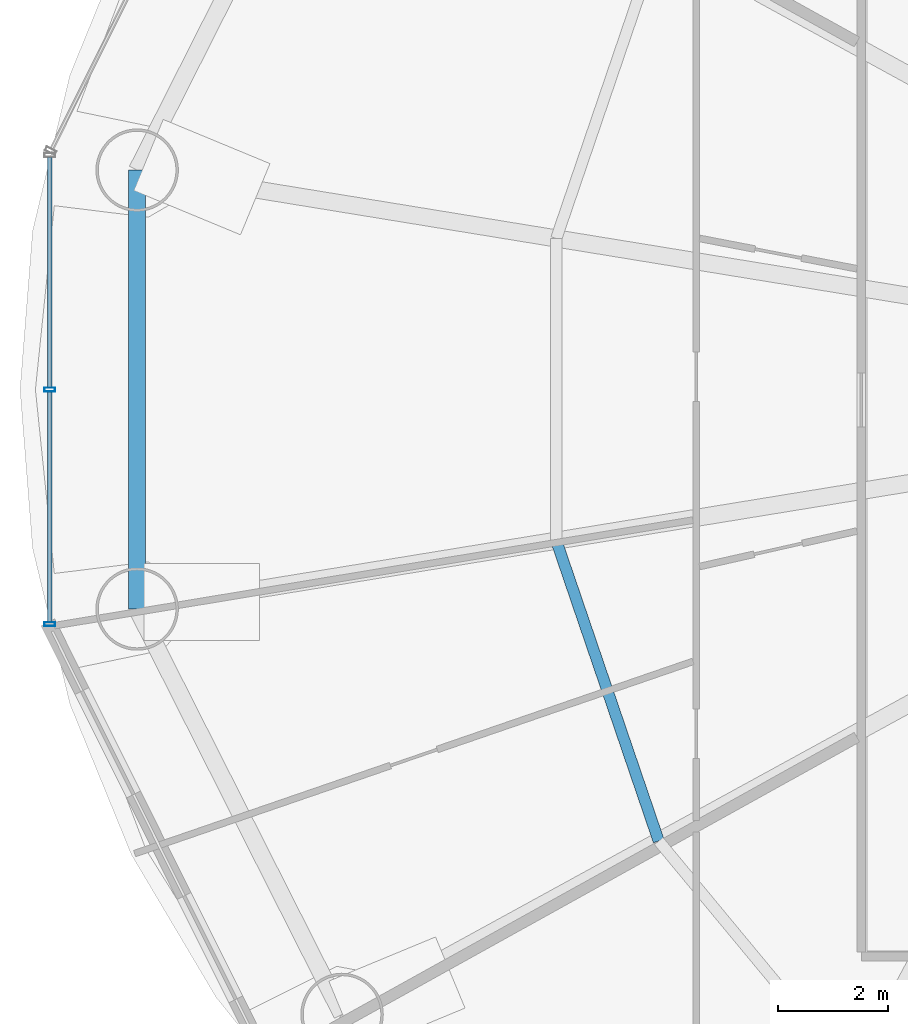
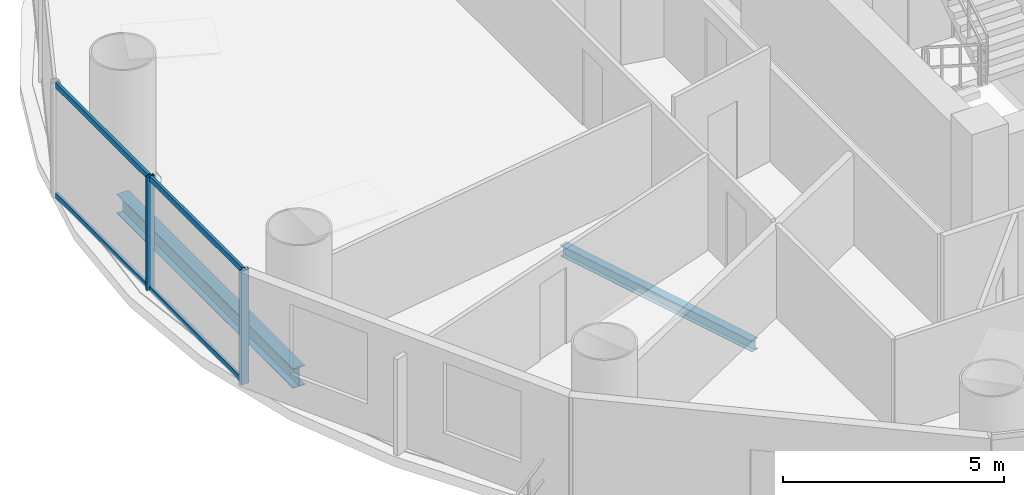
# One storey, part 7 of 29: 6 members, 2 beams, 1 element without a shape of its own.
"""IFC4 building model written with IfcOpenShell, lengths in metres."""

from ifc_helpers import new_model, si_unit, direction, frame, origin, origin_2d, place, context, subcontext, project, spatial, hollow_rectangle, i_section, extrude, source, transform, mapped, material, material_profile, profile_set, type_object, element, aggregate, save


model = new_model("IFC4")

# Units and contexts
model_context = context("Model", 3, precision=1e-05, world=origin(), true_north=direction((-0.2419218956, 0.970295726276)))
body_context = subcontext(model_context, "Body", "Model", "MODEL_VIEW")
ifc_project = project(units=[si_unit("LENGTHUNIT", "METRE"), si_unit("AREAUNIT", "SQUARE_METRE"), si_unit("VOLUMEUNIT", "CUBIC_METRE"), si_unit("PLANEANGLEUNIT", "RADIAN"), si_unit("MASSUNIT", "GRAM", prefix="KILO")], contexts=[model_context])

# Site, building, storey
site_placement = place(None, origin())
site = spatial("IfcSite", under=ifc_project, at=site_placement, CompositionType="ELEMENT")
building_placement = place(site_placement, origin())
building = spatial("IfcBuilding", under=site, at=building_placement, Name="Cobrevalo Terracotta Tower", CompositionType="ELEMENT")
storey_placement = place(building_placement, frame((0.0, 0.0, 126.60009765625)))
storey = spatial("IfcBuildingStorey", under=building, at=storey_placement, Name="L33", CompositionType="ELEMENT", Elevation=126.60009765625)

# Beams
ifc_material_1 = material(Name="Steel S355", Category="steel")
ifc_material_profile_1 = material_profile(ifc_material_1, i_section(OverallWidth=0.2041015625, OverallDepth=0.305908203125, WebThickness=0.008544921875, FlangeThickness=0.0146484375, at=origin_2d()), Name="W 310x67")
ifc_profile_set_1 = profile_set([ifc_material_profile_1], Name="Steel S355")
beam_type_1 = type_object("IfcBeamType", Name="Structural Joist W 310x67 (Steel S355)", PredefinedType="JOIST", material=ifc_profile_set_1)
beam_1_placement = place(storey_placement, frame((21.149658203125, 24.052734375, -0.427978515625), z_axis=(0.322846227919, -0.946451431991, 0.0), x_axis=(0.946451431991, 0.322846227919, 0.0)))
element("IfcBeam", 1, at=beam_1_placement, inside=storey, type_object=beam_type_1, Name="L33 circumferential secondary floor joist 09", PredefinedType="JOIST", context=body_context, shape_type="SweptSolid", body=[
    extrude(i_section(OverallWidth=0.2041015625, OverallDepth=0.305908203125, WebThickness=0.008544921875, FlangeThickness=0.0146484375, at=origin_2d()), origin(), (0.0, 0.0, 1.0), 5.77001953125),
])
ifc_material_profile_2 = material_profile(ifc_material_1, i_section(OverallWidth=0.31201171875, OverallDepth=0.54296875, WebThickness=0.0126953125, FlangeThickness=0.020263671875, at=origin_2d()), Name="W 530x150")
ifc_profile_set_2 = profile_set([ifc_material_profile_2], Name="Steel S355")
beam_type_2 = type_object("IfcBeamType", Name="Structural Spandrel W 530x150 (Steel S355)", PredefinedType="SPANDREL", material=ifc_profile_set_2)
beam_2_placement = place(storey_placement, frame((13.529296875, 30.78955078125, -0.546630859375), z_axis=(0.0, -1.0, 0.0), x_axis=(1.0, 0.0, 0.0)))
element("IfcBeam", 2, at=beam_2_placement, inside=storey, type_object=beam_type_2, Name="L33 perimeter ring spandrel 08", PredefinedType="SPANDREL", context=body_context, shape_type="SweptSolid", body=[
    extrude(i_section(OverallWidth=0.31201171875, OverallDepth=0.54296875, WebThickness=0.0126953125, FlangeThickness=0.020263671875, at=origin_2d()), origin(), (0.0, 0.0, 1.0), 7.979248046875),
])

# Curtain wall, members
ifc_material_2 = material(Name="Anodized aluminium", Category="aluminium")
curtain_wall_type = type_object("IfcCurtainWallType", Name="Lower-tower unitised acoustic low-E curtain wall CW-U1", PredefinedType="NOTDEFINED", material=ifc_material_2)
curtain_wall_placement = place(storey_placement, origin())
curtain_wall = element("IfcCurtainWall", 3, at=curtain_wall_placement, inside=storey, type_object=curtain_wall_type, Name="L33 curtain wall CW-L33-S08", PredefinedType="NOTDEFINED")
ifc_material_profile_3 = material_profile(ifc_material_2, hollow_rectangle(XDim=0.074951171875, YDim=0.199951171875, WallThickness=0.0048828125, at=origin_2d()), Name="CWM 75x200")
ifc_profile_set_3 = profile_set([ifc_material_profile_3], Name="Anodized aluminium")
member_type_1 = type_object("IfcMemberType", Name="Lower/mid tower unitised mullion 75x200", PredefinedType="MULLION", material=ifc_profile_set_3)
shared_shape_1 = source(origin(), body_context, "Body", "SweptSolid", [
    extrude(hollow_rectangle(XDim=0.074951171875, YDim=0.199951171875, WallThickness=0.0048828125, at=origin_2d()), origin(), (0.0, 0.0, 1.0), 3.14990234375),
])
member_1_placement = place(storey_placement, frame((11.9404296875, 26.800048828125, 0.0), z_axis=(0.0, 0.0, 1.0), x_axis=(0.0, -1.0, 0.0)))
member_1 = element("IfcMember", 4, at=member_1_placement, type_object=member_type_1, Name="CW-L33-S08 vertical mullion 02", PredefinedType="MULLION", context=body_context, shape_type="MappedRepresentation", body=[
    mapped(shared_shape_1, transform((0.0, 0.0, 0.0), scale=1.0)),
])
member_2_placement = place(storey_placement, frame((11.9404296875, 22.534423828125, 0.0), z_axis=(0.0, 0.0, 1.0), x_axis=(0.0, -1.0, 0.0)))
member_2 = element("IfcMember", 5, at=member_2_placement, type_object=member_type_1, Name="CW-L33-S08 vertical mullion 03", PredefinedType="MULLION", context=body_context, shape_type="MappedRepresentation", body=[
    mapped(shared_shape_1, transform((0.0, 0.0, 0.0), scale=1.0)),
])
ifc_material_profile_4 = material_profile(ifc_material_2, hollow_rectangle(XDim=0.074951171875, YDim=0.14990234375, WallThickness=0.00439453125, at=origin_2d()), Name="CWT 75x150")
ifc_profile_set_4 = profile_set([ifc_material_profile_4], Name="Anodized aluminium")
member_type_2 = type_object("IfcMemberType", Name="Tower unitised aluminium transom 75x150", PredefinedType="USERDEFINED", material=ifc_profile_set_4)
shared_shape_2 = source(origin(), body_context, "Body", "SweptSolid", [
    extrude(hollow_rectangle(XDim=0.074951171875, YDim=0.14990234375, WallThickness=0.00439453125, at=origin_2d()), origin(), (0.0, 0.0, 1.0), 4.185546875),
])
member_3_placement = place(storey_placement, frame((11.9404296875, 31.025634765625, 0.0498046875), z_axis=(0.0, -1.0, 0.0), x_axis=(1.0, 0.0, 0.0)))
member_3 = element("IfcMember", 6, at=member_3_placement, type_object=member_type_2, Name="CW-L33-S08 transom B01-T1", ObjectType="TRANSOM", PredefinedType="USERDEFINED", context=body_context, shape_type="MappedRepresentation", body=[
    mapped(shared_shape_2, transform((0.0, 0.0, 0.0), scale=1.0)),
])
member_4_placement = place(storey_placement, frame((11.9404296875, 31.025634765625, 3.099853515625), z_axis=(0.0, -1.0, 0.0), x_axis=(1.0, 0.0, 0.0)))
member_4 = element("IfcMember", 7, at=member_4_placement, type_object=member_type_2, Name="CW-L33-S08 transom B01-T2", ObjectType="TRANSOM", PredefinedType="USERDEFINED", context=body_context, shape_type="MappedRepresentation", body=[
    mapped(shared_shape_2, transform((0.0, 0.0, 0.0), scale=1.0)),
])
member_5_placement = place(storey_placement, frame((11.9404296875, 26.760009765625, 0.0498046875), z_axis=(0.0, -1.0, 0.0), x_axis=(1.0, 0.0, 0.0)))
member_5 = element("IfcMember", 8, at=member_5_placement, type_object=member_type_2, Name="CW-L33-S08 transom B02-T1", ObjectType="TRANSOM", PredefinedType="USERDEFINED", context=body_context, shape_type="MappedRepresentation", body=[
    mapped(shared_shape_2, transform((0.0, 0.0, 0.0), scale=1.0)),
])
member_6_placement = place(storey_placement, frame((11.9404296875, 26.760009765625, 3.099853515625), z_axis=(0.0, -1.0, 0.0), x_axis=(1.0, 0.0, 0.0)))
member_6 = element("IfcMember", 9, at=member_6_placement, type_object=member_type_2, Name="CW-L33-S08 transom B02-T2", ObjectType="TRANSOM", PredefinedType="USERDEFINED", context=body_context, shape_type="MappedRepresentation", body=[
    mapped(shared_shape_2, transform((0.0, 0.0, 0.0), scale=1.0)),
])
aggregate(curtain_wall, [member_1, member_2, member_3, member_4, member_5, member_6])

save(model, "model.ifc")
